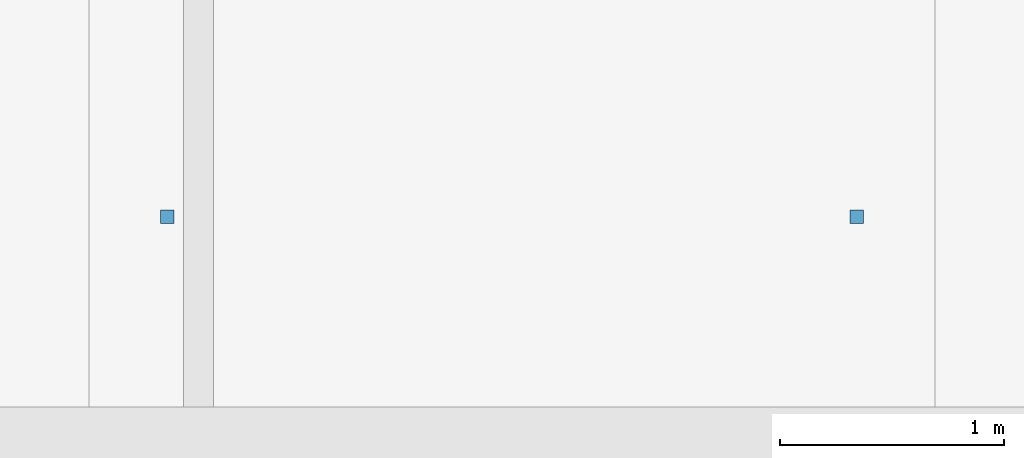
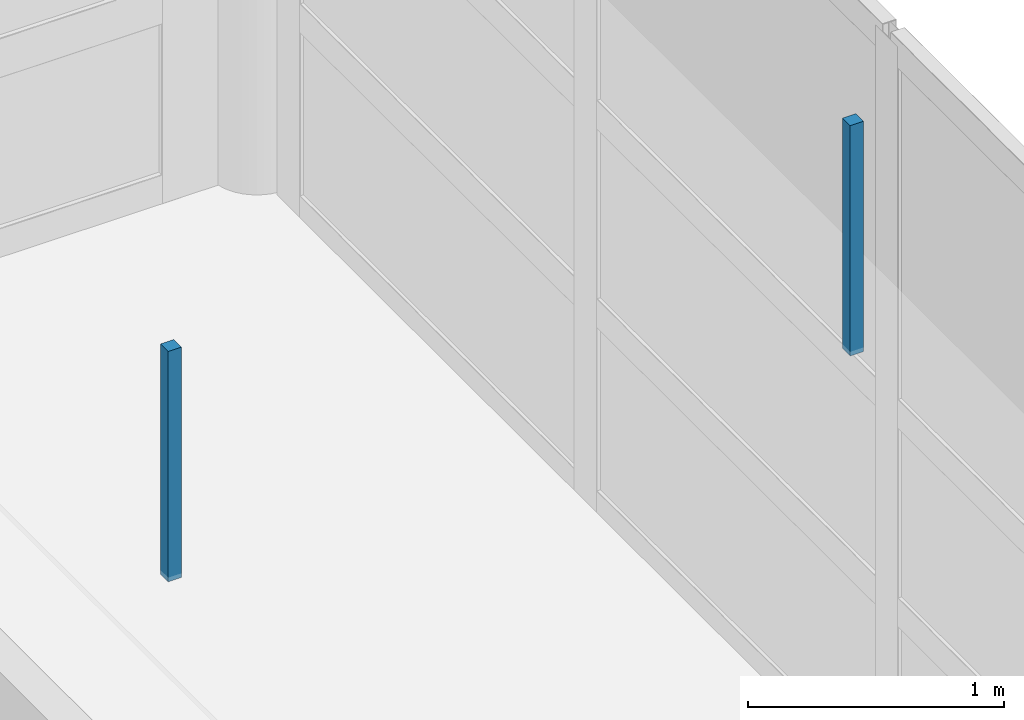
# One storey, part 116 of 147: 2 discrete accessories.
"""IFC4 building model written with IfcOpenShell, lengths in metres."""

from ifc_helpers import new_model, si_unit, direction, frame, origin, origin_2d, place, context, subcontext, project, spatial, rectangle, extrude, material, type_object, element, save


model = new_model("IFC4")

# Units and contexts
model_context = context("Model", 3, precision=1e-05, world=origin(), true_north=direction((0.0, 1.0)))
body_context = subcontext(model_context, "Body", "Model", "MODEL_VIEW")
ifc_project = project(units=[si_unit("LENGTHUNIT", "METRE"), si_unit("AREAUNIT", "SQUARE_METRE"), si_unit("VOLUMEUNIT", "CUBIC_METRE"), si_unit("PLANEANGLEUNIT", "RADIAN"), si_unit("MASSUNIT", "GRAM", prefix="KILO")], contexts=[model_context])

# Site, building, storey
site_placement = place(None, origin())
site = spatial("IfcSite", under=ifc_project, at=site_placement, CompositionType="ELEMENT")
building_placement = place(site_placement, origin())
building = spatial("IfcBuilding", under=site, at=building_placement, Name="Khelvaren Railside Concert Hall", CompositionType="ELEMENT")
storey_placement = place(building_placement, frame((0.0, 0.0, 5.39990234375)))
storey = spatial("IfcBuildingStorey", under=building, at=storey_placement, Name="L01", CompositionType="ELEMENT", Elevation=5.39990234375)

# Discrete accessories
ifc_material = material(Name="Galvanised steel acoustic ceiling hanger rod", Category="steel")
discrete_accessory_type = type_object("IfcDiscreteAccessoryType", Name="BRK62", PredefinedType="BRACKET", material=ifc_material)
for number, where, z_axis, x_axis, name in (
    (1, (179.860107421875, 31.5, 3.429931640625), (0.0, 0.0, 1.0), (1.0, 0.0, 0.0), "Acoustic Ceiling Suspension Bracket 49-1"),
    (2, (182.93994140625, 31.5, 3.429931640625), (0.0, 0.0, 1.0), (1.0, 0.0, 0.0), "Acoustic Ceiling Suspension Bracket 49-2"),
):
    element("IfcDiscreteAccessory", number, at=place(storey_placement, frame(where, z_axis=z_axis, x_axis=x_axis)), inside=storey, type_object=discrete_accessory_type, Name=name, PredefinedType="BRACKET", context=body_context, shape_type="SweptSolid", body=[
        extrude(rectangle(XDim=0.06005859375, YDim=0.06005859375, at=origin_2d()), origin(), (0.0, 0.0, 1.0), 1.10009765625),
    ])

save(model, "model.ifc")
